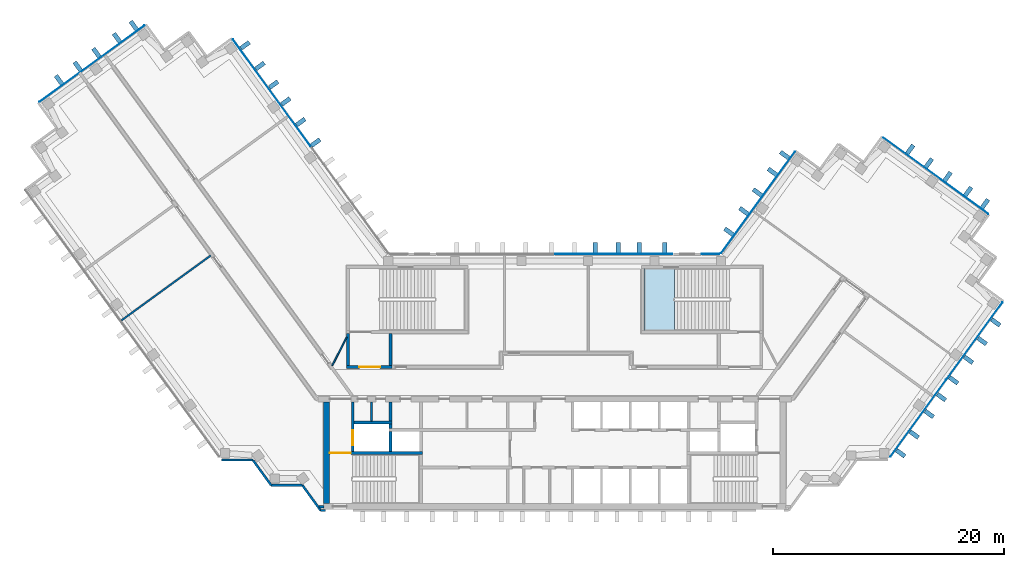
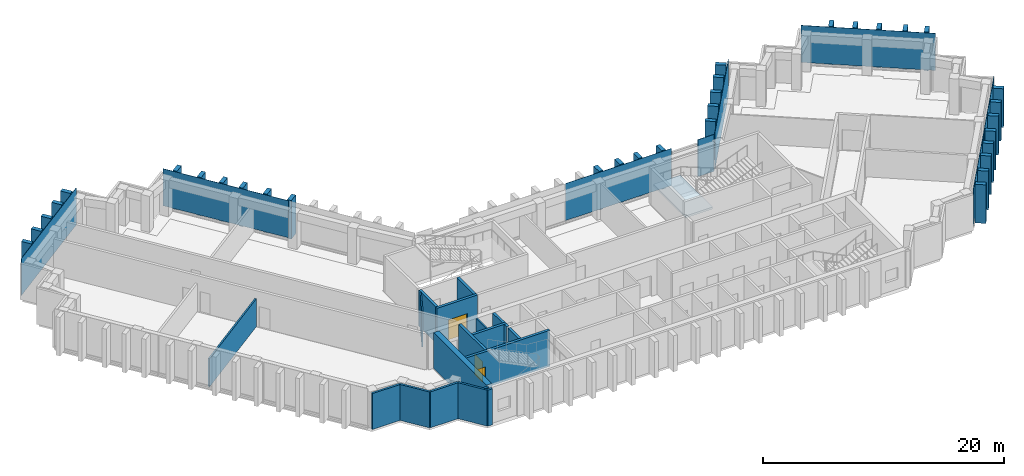
"""IFC4 building model written with IfcOpenShell, lengths in metres."""

from ifc_helpers import new_model, si_unit, direction, frame, frame_2d, origin, origin_2d, place, context, subcontext, project, spatial, polyline, rectangle, outline, extrude, material, layer, layer_set, type_object, element, fill, aggregate, save


model = new_model("IFC4")

# Units and contexts
model_context = context("Model", 3, precision=1e-05, world=origin(), true_north=direction((0.0, 1.0)))
body_context = subcontext(model_context, "Body", "Model", "MODEL_VIEW")
ifc_project = project(units=[si_unit("LENGTHUNIT", "METRE"), si_unit("AREAUNIT", "SQUARE_METRE"), si_unit("VOLUMEUNIT", "CUBIC_METRE"), si_unit("PLANEANGLEUNIT", "RADIAN"), si_unit("MASSUNIT", "GRAM", prefix="KILO")], contexts=[model_context])

# Site, building, storey
site_placement = place(None, origin())
site = spatial("IfcSite", under=ifc_project, at=site_placement, CompositionType="ELEMENT")
building_placement = place(site_placement, origin())
building = spatial("IfcBuilding", under=site, at=building_placement, Name="Quipu Civic Tower", CompositionType="ELEMENT")
storey_1_placement = place(building_placement, frame((0.0, 0.0, 226.0)))
storey_1 = spatial("IfcBuildingStorey", under=building, at=storey_1_placement, Name="L53", CompositionType="ELEMENT", Elevation=226.0)

# Curtain wall
ifc_material_1 = material(Name="Insulated glass unit", Category="glass")
curtain_wall_type = type_object("IfcCurtainWallType", Name="Office curtain wall CW1", PredefinedType="NOTDEFINED", material=ifc_material_1)
curtain_wall_1_placement = place(storey_1_placement, origin())
curtain_wall_1 = element("IfcCurtainWall", 1, at=curtain_wall_1_placement, inside=storey_1, type_object=curtain_wall_type, Name="Office curtain wall CW1 L52 run 4", PredefinedType="NOTDEFINED")

# Storey
storey_2_placement = place(building_placement, frame((0.0, 0.0, 230.0)))
storey_2 = spatial("IfcBuildingStorey", under=building, at=storey_2_placement, Name="L54", CompositionType="ELEMENT", Elevation=230.0)

# Plate
ifc_material_2 = material(Name="Insulated glass unit", Category="glass")
ifc_layer_1 = layer(ifc_material_2, 0.028076171875)
ifc_layer_set_1 = layer_set([ifc_layer_1], Name="Insulated glass unit")
plate_type_1 = type_object("IfcPlateType", Name="Glass panel CW1", PredefinedType="CURTAIN_PANEL", material=ifc_layer_set_1)
plate_1_placement = place(storey_2_placement, frame((31.465087890625, -3.10400390625, 0.16015625), z_axis=(0.0, 0.0, 1.0), x_axis=(0.58778680192, 0.809015868502, 0.0)))
plate_1 = element("IfcPlate", 2, at=plate_1_placement, inside=storey_2, type_object=plate_type_1, Name="CW1 panel 1.3", PredefinedType="CURTAIN_PANEL", context=body_context, shape_type="SweptSolid", body=[
    extrude(rectangle(XDim=8.2080078125, YDim=0.028076171875, at=origin_2d()), origin(), (0.0, 0.0, 1.0), 3.760009765625),
])

plate_2_placement = place(storey_2_placement, frame((36.3369140625, 3.60107421875, 0.16015625), z_axis=(0.0, 0.0, 1.0), x_axis=(0.58778680192, 0.809015868502, 0.0)))
plate_2 = element("IfcPlate", 3, at=plate_2_placement, inside=storey_2, type_object=plate_type_1, Name="CW1 panel 2.3", PredefinedType="CURTAIN_PANEL", context=body_context, shape_type="SweptSolid", body=[
    extrude(rectangle(XDim=8.2080078125, YDim=0.028076171875, at=origin_2d()), origin(), (0.0, 0.0, 1.0), 3.760009765625),
])

aggregate(curtain_wall_1, [plate_1, plate_2])

# Storey
storey_3_placement = place(building_placement, frame((0.0, 0.0, 234.0)))
storey_3 = spatial("IfcBuildingStorey", under=building, at=storey_3_placement, Name="L55", CompositionType="ELEMENT", Elevation=234.0)

# Curtain wall, plate
curtain_wall_2_placement = place(storey_3_placement, origin())
curtain_wall_2 = element("IfcCurtainWall", 4, at=curtain_wall_2_placement, inside=storey_3, type_object=curtain_wall_type, Name="Office curtain wall CW1 L54 run 1", PredefinedType="NOTDEFINED")
plate_3_placement = place(storey_2_placement, frame((-24.491455078125, 25.066162109375, 0.240234375), z_axis=(0.0, 0.0, 1.0), x_axis=(-0.587788727052, 0.809014469803, 0.0)))
plate_3 = element("IfcPlate", 5, at=plate_3_placement, inside=storey_2, type_object=plate_type_1, Name="CW1 panel 2.1", PredefinedType="CURTAIN_PANEL", context=body_context, shape_type="SweptSolid", body=[
    extrude(rectangle(XDim=11.402099609375, YDim=0.028076171875, at=origin_2d()), origin(), (0.0, 0.0, 1.0), 3.760009765625),
])
aggregate(curtain_wall_2, [plate_3])

curtain_wall_3_placement = place(storey_3_placement, origin())
curtain_wall_3 = element("IfcCurtainWall", 6, at=curtain_wall_3_placement, inside=storey_3, type_object=curtain_wall_type, Name="Office curtain wall CW1 L54 run 6", PredefinedType="NOTDEFINED")
plate_4_placement = place(storey_2_placement, frame((-40.04345703125, 27.58740234375, 0.240234375), z_axis=(0.0, 0.0, 1.0), x_axis=(-0.809015176832, -0.587787753918, 0.0)))
plate_4 = element("IfcPlate", 7, at=plate_4_placement, inside=storey_2, type_object=plate_type_1, Name="CW1 panel 1.1", PredefinedType="CURTAIN_PANEL", context=body_context, shape_type="SweptSolid", body=[
    extrude(rectangle(XDim=11.239990234375, YDim=0.028076171875, at=origin_2d()), origin(), (0.0, 0.0, 1.0), 3.760009765625),
])
aggregate(curtain_wall_3, [plate_4])

curtain_wall_4_placement = place(storey_3_placement, origin())
curtain_wall_4 = element("IfcCurtainWall", 8, at=curtain_wall_4_placement, inside=storey_3, type_object=curtain_wall_type, Name="Office curtain wall CW1 L54 run 21", PredefinedType="NOTDEFINED")
plate_5_placement = place(storey_2_placement, frame((32.989990234375, 17.87939453125, 0.240234375), z_axis=(0.0, 0.0, 1.0), x_axis=(-0.809015176832, 0.587787753918, 0.0)))
plate_5 = element("IfcPlate", 9, at=plate_5_placement, inside=storey_2, type_object=plate_type_1, Name="CW1 panel 1.1", PredefinedType="CURTAIN_PANEL", context=body_context, shape_type="SweptSolid", body=[
    extrude(rectangle(XDim=11.239990234375, YDim=0.028076171875, at=origin_2d()), origin(), (0.0, 0.0, 1.0), 3.760009765625),
])
aggregate(curtain_wall_4, [plate_5])

curtain_wall_5_placement = place(storey_3_placement, origin())
curtain_wall_5 = element("IfcCurtainWall", 10, at=curtain_wall_5_placement, inside=storey_3, type_object=curtain_wall_type, Name="Office curtain wall CW1 L54 run 26", PredefinedType="NOTDEFINED")
plate_6_placement = place(storey_2_placement, frame((17.590087890625, 15.5673828125, 0.240234375), z_axis=(0.0, 0.0, 1.0), x_axis=(-0.587787771652, -0.809015163947, 0.0)))
plate_6 = element("IfcPlate", 11, at=plate_6_placement, inside=storey_2, type_object=plate_type_1, Name="CW1 panel 1.1", PredefinedType="CURTAIN_PANEL", context=body_context, shape_type="SweptSolid", body=[
    extrude(rectangle(XDim=10.88427734375, YDim=0.028076171875, at=origin_2d()), origin(), (0.0, 0.0, 1.0), 3.760009765625),
])
aggregate(curtain_wall_5, [plate_6])

curtain_wall_6_placement = place(storey_3_placement, origin())
curtain_wall_6 = element("IfcCurtainWall", 12, at=curtain_wall_6_placement, inside=storey_3, type_object=curtain_wall_type, Name="Office curtain wall CW1 L54 run 27", PredefinedType="NOTDEFINED")
plate_7_placement = place(storey_2_placement, frame((13.49951171875, 11.10009765625, 0.240234375), z_axis=(0.0, 0.0, 1.0), x_axis=(-1.0, 0.0, 0.0)))
plate_7 = element("IfcPlate", 13, at=plate_7_placement, inside=storey_2, type_object=plate_type_1, Name="CW1 panel 1.1", PredefinedType="CURTAIN_PANEL", context=body_context, shape_type="SweptSolid", body=[
    extrude(rectangle(XDim=1.529296875, YDim=0.028076171875, at=origin_2d()), origin(), (0.0, 0.0, 1.0), 3.760009765625),
])
aggregate(curtain_wall_6, [plate_7])

curtain_wall_7_placement = place(storey_3_placement, origin())
curtain_wall_7 = element("IfcCurtainWall", 14, at=curtain_wall_7_placement, inside=storey_3, type_object=curtain_wall_type, Name="Office curtain wall CW1 L54 run 29", PredefinedType="NOTDEFINED")
plate_8_placement = place(storey_2_placement, frame((5.11181640625, 11.10009765625, 0.240234375), z_axis=(0.0, 0.0, 1.0), x_axis=(-1.0, 0.0, 0.0)))
plate_8 = element("IfcPlate", 15, at=plate_8_placement, inside=storey_2, type_object=plate_type_1, Name="CW1 panel 1.1", PredefinedType="CURTAIN_PANEL", context=body_context, shape_type="SweptSolid", body=[
    extrude(rectangle(XDim=10.1435546875, YDim=0.028076171875, at=origin_2d()), origin(), (0.0, 0.0, 1.0), 3.760009765625),
])
aggregate(curtain_wall_7, [plate_8])

# Plates
ifc_material_3 = material(Name="Precast concrete C40/50", Category="concrete")
plate_type_2 = type_object("IfcPlateType", Name="Precast fin F2", PredefinedType="SHEET", material=ifc_material_3)
for number, where, z_axis, x_axis, name in (
    (16, (29.943603515625, -6.134033203125, 0.080078125), (0.0, 0.0, 1.0), (0.587786668783, 0.809015965233, 0.0), "Precast fin F2 L54.P04.1"),
    (17, (31.119140625, -4.515869140625, 0.080078125), (0.0, 0.0, 1.0), (0.587786668783, 0.809015965233, 0.0), "Precast fin F2 L54.P04.2"),
    (18, (32.412353515625, -2.736083984375, 0.080078125), (0.0, 0.0, 1.0), (0.587786668783, 0.809015965233, 0.0), "Precast fin F2 L54.P04.3"),
    (19, (33.47021484375, -1.280029296875, 0.080078125), (0.0, 0.0, 1.0), (0.587786668783, 0.809015965233, 0.0), "Precast fin F2 L54.P04.4"),
    (20, (34.5283203125, 0.17626953125, 0.080078125), (0.0, 0.0, 1.0), (0.587786668783, 0.809015965233, 0.0), "Precast fin F2 L54.P04.5"),
    (21, (35.821533203125, 1.9560546875, 0.080078125), (0.0, 0.0, 1.0), (0.587786668783, 0.809015965233, 0.0), "Precast fin F2 L54.P04.6"),
    (22, (36.9970703125, 3.57421875, 0.080078125), (0.0, 0.0, 1.0), (0.587786668783, 0.809015965233, 0.0), "Precast fin F2 L54.P04.7"),
    (23, (38.172607421875, 5.192138671875, 0.080078125), (0.0, 0.0, 1.0), (0.587786668783, 0.809015965233, 0.0), "Precast fin F2 L54.P04.8"),
    (24, (-20.681884765625, 20.758544921875, 0.080078125), (0.0, 0.0, 1.0), (-0.587787133119, 0.809015627871, 0.0), "Precast fin F2 L54.1.6"),
    (25, (-21.974853515625, 22.538330078125, 0.080078125), (0.0, 0.0, 1.0), (-0.587787133119, 0.809015627871, 0.0), "Precast fin F2 L54.1.7"),
    (26, (-23.26806640625, 24.318115234375, 0.080078125), (0.0, 0.0, 1.0), (-0.587787133119, 0.809015627871, 0.0), "Precast fin F2 L54.1.8"),
    (27, (-24.326171875, 25.7744140625, 0.080078125), (0.0, 0.0, 1.0), (-0.587787133119, 0.809015627871, 0.0), "Precast fin F2 L54.1.9"),
    (28, (-25.501708984375, 27.392578125, 0.080078125), (0.0, 0.0, 1.0), (-0.587787133119, 0.809015627871, 0.0), "Precast fin F2 L54.1.10"),
    (29, (-26.794677734375, 29.17236328125, 0.080078125), (0.0, 0.0, 1.0), (-0.587787133119, 0.809015627871, 0.0), "Precast fin F2 L54.1.11"),
    (30, (-36.434814453125, 30.88916015625, 0.080078125), (0.0, 0.0, 1.0), (-0.809017072762, -0.587785144401, 0.0), "Precast fin F2 L54.6.1"),
    (31, (-37.89111328125, 29.8310546875, 0.080078125), (0.0, 0.0, 1.0), (-0.809017072762, -0.587785144401, 0.0), "Precast fin F2 L54.6.2"),
    (32, (-39.6708984375, 28.537841796875, 0.080078125), (0.0, 0.0, 1.0), (-0.809017072762, -0.587785144401, 0.0), "Precast fin F2 L54.6.3"),
    (33, (-41.2890625, 27.3623046875, 0.080078125), (0.0, 0.0, 1.0), (-0.809017072762, -0.587785144401, 0.0), "Precast fin F2 L54.6.4"),
    (34, (-42.906982421875, 26.186767578125, 0.080078125), (0.0, 0.0, 1.0), (-0.809017072762, -0.587785144401, 0.0), "Precast fin F2 L54.6.5"),
    (35, (37.2451171875, 15.467529296875, 0.080078125), (0.0, 0.0, 1.0), (-0.809017072762, 0.587785144401, 0.0), "Precast fin F2 L54.21.1"),
    (36, (35.7890625, 16.525634765625, 0.080078125), (0.0, 0.0, 1.0), (-0.809017072762, 0.587785144401, 0.0), "Precast fin F2 L54.21.2"),
    (37, (34.009033203125, 17.81884765625, 0.080078125), (0.0, 0.0, 1.0), (-0.809017072762, 0.587785144401, 0.0), "Precast fin F2 L54.21.3"),
    (38, (32.39111328125, 18.994384765625, 0.080078125), (0.0, 0.0, 1.0), (-0.809017072762, 0.587785144401, 0.0), "Precast fin F2 L54.21.4"),
    (39, (30.77294921875, 20.169921875, 0.080078125), (0.0, 0.0, 1.0), (-0.809017072762, 0.587785144401, 0.0), "Precast fin F2 L54.21.5"),
    (40, (19.897216796875, 19.6787109375, 0.080078125), (0.0, 0.0, 1.0), (-0.58778443384, -0.809017589015, 0.0), "Precast fin F2 L54.26.1"),
    (41, (18.839111328125, 18.222412109375, 0.080078125), (0.0, 0.0, 1.0), (-0.58778443384, -0.809017589015, 0.0), "Precast fin F2 L54.26.2"),
    (42, (17.546142578125, 16.442626953125, 0.080078125), (0.0, 0.0, 1.0), (-0.58778443384, -0.809017589015, 0.0), "Precast fin F2 L54.26.3"),
    (43, (16.370361328125, 14.824462890625, 0.080078125), (0.0, 0.0, 1.0), (-0.58778443384, -0.809017589015, 0.0), "Precast fin F2 L54.26.4"),
    (44, (15.077392578125, 13.044677734375, 0.080078125), (0.0, 0.0, 1.0), (-0.58778443384, -0.809017589015, 0.0), "Precast fin F2 L54.26.5"),
    (45, (9.510009765625, 11.64990234375, 0.080078125), (0.0, 0.0, 1.0), (-1.0, 0.0, 0.0), "Precast fin F2 L54.29.1"),
    (46, (7.31005859375, 11.64990234375, 0.080078125), (0.0, 0.0, 1.0), (-1.0, 0.0, 0.0), "Precast fin F2 L54.29.2"),
    (47, (5.510009765625, 11.64990234375, 0.080078125), (0.0, 0.0, 1.0), (-1.0, 0.0, 0.0), "Precast fin F2 L54.29.3"),
    (48, (3.510009765625, 11.64990234375, 0.080078125), (0.0, 0.0, 1.0), (-1.0, 0.0, 0.0), "Precast fin F2 L54.29.4"),
):
    element("IfcPlate", number, at=place(storey_2_placement, frame(where, z_axis=z_axis, x_axis=x_axis)), inside=storey_2, type_object=plate_type_2, Name=name, PredefinedType="SHEET", context=body_context, shape_type="SweptSolid", body=[
        extrude(rectangle(XDim=0.3798828125, YDim=0.89990234375, at=origin_2d()), origin(), (0.0, 0.0, 1.0), 3.919921875),
    ])

# Stair, slab
ifc_material_4 = material(Name="Concrete C40/50", Category="concrete")
stair_type = type_object("IfcStairType", Name="Half turn stair 2600", PredefinedType="HALF_TURN_STAIR", material=ifc_material_4)
stair_placement = place(storey_2_placement, origin())
stair = element("IfcStair", 49, at=stair_placement, inside=storey_2, type_object=stair_type, Name="Exit stair 4", PredefinedType="HALF_TURN_STAIR")
ifc_material_5 = material(Name="Concrete C40/50", Category="concrete")
ifc_layer_2 = layer(ifc_material_5, 0.199951171875)
ifc_layer_set_2 = layer_set([ifc_layer_2], Name="Concrete C40/50")
slab_type = type_object("IfcSlabType", Name="Stair landing 200", PredefinedType="LANDING", material=ifc_layer_set_2)
slab_placement = place(storey_2_placement, frame((0.0, 0.0, 1.800048828125)))
slab = element("IfcSlab", 50, at=slab_placement, type_object=slab_type, Name="ST-4 landing 1", PredefinedType="LANDING", context=body_context, shape_type="SweptSolid", body=[
    extrude(outline(polyline([(10.35009765625, 9.85009765625), (7.75, 9.85009765625), (7.75, 4.5), (10.35009765625, 4.5), (10.35009765625, 9.85009765625)])), origin(), (0.0, 0.0, 1.0), 0.199951171875),
])
aggregate(stair, [slab])

# Wall
ifc_material_6 = material(Name="Double gypsum plasterboard with mineral wool")
ifc_layer_3 = layer(ifc_material_6, 0.14990234375)
ifc_layer_set_3 = layer_set([ifc_layer_3], Name="Double gypsum plasterboard with mineral wool")
wall_type_1 = type_object("IfcWallType", Name="Acoustic partition 150 plasterboard", PredefinedType="PARTITIONING", material=ifc_layer_set_3)
wall_1_placement = place(storey_2_placement, frame((-29.769287109375, 10.979736328125, 0.0), z_axis=(0.0, 0.0, 1.0), x_axis=(-0.809048817734, -0.587741448702, 0.0)))
element("IfcWall", 51, at=wall_1_placement, inside=storey_2, type_object=wall_type_1, Name="Partition P02", PredefinedType="PARTITIONING", context=body_context, shape_type="SweptSolid", body=[
    extrude(rectangle(XDim=9.55029296875, YDim=0.14990234375, at=frame_2d((4.775146484375, 0.0))), origin(), (0.0, 0.0, 1.0), 2.85009765625),
])

# Wall, opening, door
ifc_material_7 = material(Name="Concrete C70/85", Category="concrete")
ifc_layer_4 = layer(ifc_material_7, 0.25)
ifc_layer_set_4 = layer_set([ifc_layer_4], Name="Concrete C70/85")
wall_type_2 = type_object("IfcWallType", Name="Core wall 250", PredefinedType="SHEAR", material=ifc_layer_set_4)
wall_2_placement = place(storey_2_placement, frame((-11.449951171875, -6.125, 0.0), z_axis=(0.0, 0.0, 1.0), x_axis=(-1.0, 0.0, 0.0)))
wall_2 = element("IfcWall", 52, at=wall_2_placement, inside=storey_2, type_object=wall_type_2, Name="Core wall", PredefinedType="SHEAR", context=body_context, shape_type="SweptSolid", body=[
    extrude(rectangle(XDim=8.050048828125, YDim=0.25, at=frame_2d((4.02490234375, 0.0))), origin(), (0.0, 0.0, 1.0), 3.64990234375),
])
opening_1_placement = place(wall_2_placement, frame((6.199951171875, 0.0, 0.0)))
opening_1 = element("IfcOpeningElement", 53, at=opening_1_placement, cuts=wall_2, Name="Opening CD-05", PredefinedType="OPENING", context=body_context, shape_type="SweptSolid", body=[
    extrude(rectangle(XDim=1.800048828125, YDim=2.10009765625, at=frame_2d((0.89990234375, 1.050048828125))), frame((0.0, 0.135009765625, 0.0), z_axis=(0.0, -1.0, 0.0), x_axis=(1.0, 0.0, 0.0)), (0.0, 0.0, 1.0), 0.27001953125),
])
ifc_material_8 = material(Name="Fire rated steel door", Category="steel")
door_type_1 = type_object("IfcDoorType", Name="Fire door FD90 double 1800 x 2100", OperationType="NOTDEFINED", PredefinedType="DOOR", material=ifc_material_8)
door_1_placement = place(opening_1_placement, origin())
door_1 = element("IfcDoor", 54, at=door_1_placement, inside=storey_2, type_object=door_type_1, Name="Door", OperationType="DOUBLE_DOOR_SINGLE_SWING", OverallHeight=2.10009765625, OverallWidth=1.800048828125, PredefinedType="DOOR", context=body_context, shape_type="SweptSolid", body=[
    extrude(rectangle(XDim=1.800048828125, YDim=2.10009765625, at=frame_2d((0.89990234375, 1.050048828125))), frame((0.0, 0.02490234375, 0.0), z_axis=(0.0, -1.0, 0.0), x_axis=(1.0, 0.0, 0.0)), (0.0, 0.0, 1.0), 0.050048828125),
])
fill(opening_1, door_1)

wall_3_placement = place(storey_2_placement, frame((-17.47509765625, -6.0, 0.0), z_axis=(0.0, 0.0, 1.0), x_axis=(0.0, 1.0, 0.0)))
wall_3 = element("IfcWall", 55, at=wall_3_placement, inside=storey_2, type_object=wall_type_2, Name="Core wall", PredefinedType="SHEAR", context=body_context, shape_type="SweptSolid", body=[
    extrude(rectangle(XDim=4.300048828125, YDim=0.25, at=frame_2d((2.14990234375, 0.0))), origin(), (0.0, 0.0, 1.0), 3.64990234375),
])
opening_2_placement = place(wall_3_placement, frame((0.550048828125, 0.0, 0.0)))
opening_2 = element("IfcOpeningElement", 56, at=opening_2_placement, cuts=wall_3, Name="Opening LD-FF1", PredefinedType="OPENING", context=body_context, shape_type="SweptSolid", body=[
    extrude(rectangle(XDim=1.300048828125, YDim=2.10009765625, at=frame_2d((0.64990234375, 1.050048828125))), frame((0.0, 0.135009765625, 0.0), z_axis=(0.0, -1.0, 0.0), x_axis=(1.0, 0.0, 0.0)), (0.0, 0.0, 1.0), 0.27001953125),
])
ifc_material_9 = material(Name="Stainless steel", Category="steel")
door_type_2 = type_object("IfcDoorType", Name="Lift landing door 1300 x 2100", OperationType="DOUBLE_DOOR_SLIDING", PredefinedType="DOOR", material=ifc_material_9)
door_2_placement = place(opening_2_placement, origin())
door_2 = element("IfcDoor", 57, at=door_2_placement, inside=storey_2, type_object=door_type_2, Name="Landing door FF1", OperationType="DOUBLE_DOOR_SLIDING", OverallHeight=2.10009765625, OverallWidth=1.300048828125, PredefinedType="DOOR", context=body_context, shape_type="SweptSolid", body=[
    extrude(rectangle(XDim=1.300048828125, YDim=2.10009765625, at=frame_2d((0.64990234375, 1.050048828125))), frame((0.0, 0.02490234375, 0.0), z_axis=(0.0, -1.0, 0.0), x_axis=(1.0, 0.0, 0.0)), (0.0, 0.0, 1.0), 0.050048828125),
])
fill(opening_2, door_2)

# Walls
wall_4_placement = place(storey_2_placement, frame((-14.22509765625, -6.0, 0.0), z_axis=(0.0, 0.0, 1.0), x_axis=(0.0, 1.0, 0.0)))
element("IfcWall", 58, at=wall_4_placement, inside=storey_2, type_object=wall_type_2, Name="Core wall", PredefinedType="SHEAR", context=body_context, shape_type="SweptSolid", body=[
    extrude(rectangle(XDim=1.75, YDim=0.25, at=frame_2d((0.875, 0.0))), origin(), (0.0, 0.0, 1.0), 3.64990234375),
])
wall_5_placement = place(storey_2_placement, frame((-14.22509765625, -4.0, 0.0), z_axis=(0.0, 0.0, 1.0), x_axis=(0.0, 1.0, 0.0)))
element("IfcWall", 59, at=wall_5_placement, inside=storey_2, type_object=wall_type_2, Name="Core wall", PredefinedType="SHEAR", context=body_context, shape_type="SweptSolid", body=[
    extrude(rectangle(XDim=0.39990234375, YDim=0.25, at=frame_2d((0.199951171875, 0.0))), origin(), (0.0, 0.0, 1.0), 3.64990234375),
])
wall_6_placement = place(storey_2_placement, frame((-17.35009765625, -3.47509765625, 0.0), z_axis=(0.0, 0.0, 1.0), x_axis=(1.0, 0.0, 0.0)))
element("IfcWall", 60, at=wall_6_placement, inside=storey_2, type_object=wall_type_2, Name="Core wall", PredefinedType="SHEAR", context=body_context, shape_type="SweptSolid", body=[
    extrude(rectangle(XDim=3.25, YDim=0.25, at=frame_2d((1.625, 0.0))), origin(), (0.0, 0.0, 1.0), 3.64990234375),
])
wall_7_placement = place(storey_2_placement, frame((-14.22509765625, -3.35009765625, 0.0), z_axis=(0.0, 0.0, 1.0), x_axis=(0.0, 1.0, 0.0)))
element("IfcWall", 61, at=wall_7_placement, inside=storey_2, type_object=wall_type_2, Name="Core wall", PredefinedType="SHEAR", context=body_context, shape_type="SweptSolid", body=[
    extrude(rectangle(XDim=1.650146484375, YDim=0.25, at=frame_2d((0.8251953125, 0.0))), origin(), (0.0, 0.0, 1.0), 3.64990234375),
])

# Wall, opening, door
wall_8_placement = place(storey_2_placement, frame((-18.0, 1.324951171875, 0.0), z_axis=(0.0, 0.0, 1.0), x_axis=(1.0, 0.0, 0.0)))
wall_8 = element("IfcWall", 62, at=wall_8_placement, inside=storey_2, type_object=wall_type_2, Name="Core wall", PredefinedType="SHEAR", context=body_context, shape_type="SweptSolid", body=[
    extrude(rectangle(XDim=3.89990234375, YDim=0.25, at=frame_2d((1.949951171875, 0.0))), origin(), (0.0, 0.0, 1.0), 3.64990234375),
])
opening_3_placement = place(wall_8_placement, frame((1.10009765625, 0.0, 0.0)))
opening_3 = element("IfcOpeningElement", 63, at=opening_3_placement, cuts=wall_8, Name="Opening CD-19", PredefinedType="OPENING", context=body_context, shape_type="SweptSolid", body=[
    extrude(rectangle(XDim=1.800048828125, YDim=2.10009765625, at=frame_2d((0.89990234375, 1.050048828125))), frame((0.0, 0.135009765625, 0.0), z_axis=(0.0, -1.0, 0.0), x_axis=(1.0, 0.0, 0.0)), (0.0, 0.0, 1.0), 0.27001953125),
])
door_3_placement = place(opening_3_placement, origin())
door_3 = element("IfcDoor", 64, at=door_3_placement, inside=storey_2, type_object=door_type_1, Name="Lobby door", OperationType="DOUBLE_DOOR_SINGLE_SWING", OverallHeight=2.10009765625, OverallWidth=1.800048828125, PredefinedType="DOOR", context=body_context, shape_type="SweptSolid", body=[
    extrude(rectangle(XDim=1.800048828125, YDim=2.10009765625, at=frame_2d((0.89990234375, 1.050048828125))), frame((0.0, 0.02490234375, 0.0), z_axis=(0.0, -1.0, 0.0), x_axis=(1.0, 0.0, 0.0)), (0.0, 0.0, 1.0), 0.050048828125),
])
fill(opening_3, door_3)

# Walls
for number, where, z_axis, x_axis, name in (
    (65, (-17.875, 1.449951171875, 0.0), (0.0, 0.0, 1.0), (0.0, 1.0, 0.0), "Core wall"),
    (66, (-14.22509765625, 1.449951171875, 0.0), (0.0, 0.0, 1.0), (0.0, 1.0, 0.0), "Core wall"),
):
    element("IfcWall", number, at=place(storey_2_placement, frame(where, z_axis=z_axis, x_axis=x_axis)), inside=storey_2, type_object=wall_type_2, Name=name, PredefinedType="SHEAR", context=body_context, shape_type="SweptSolid", body=[
        extrude(rectangle(XDim=2.800048828125, YDim=0.25, at=frame_2d((1.39990234375, 0.0))), origin(), (0.0, 0.0, 1.0), 3.64990234375),
    ])
ifc_material_10 = material(Name="Concrete C70/85", Category="concrete")
ifc_layer_5 = layer(ifc_material_10, 0.5)
ifc_layer_set_5 = layer_set([ifc_layer_5], Name="Concrete C70/85")
wall_type_3 = type_object("IfcWallType", Name="Core wall 500", PredefinedType="SHEAR", material=ifc_layer_set_5)
wall_9_placement = place(storey_2_placement, frame((-19.75, -10.5, 0.0), z_axis=(0.0, 0.0, 1.0), x_axis=(0.0, 1.0, 0.0)))
element("IfcWall", 67, at=wall_9_placement, inside=storey_2, type_object=wall_type_3, Name="Core wall", PredefinedType="SHEAR", context=body_context, shape_type="SweptSolid", body=[
    extrude(rectangle(XDim=8.800048828125, YDim=0.5, at=frame_2d((4.39990234375, 0.0))), origin(), (0.0, 0.0, 1.0), 3.64990234375),
])
ifc_material_11 = material(Name="Gypsum plasterboard on light gauge framing")
ifc_layer_6 = layer(ifc_material_11, 0.1201171875)
ifc_layer_set_6 = layer_set([ifc_layer_6], Name="Gypsum plasterboard on light gauge framing")
wall_type_4 = type_object("IfcWallType", Name="Partition 120 plasterboard", PredefinedType="PARTITIONING", material=ifc_layer_set_6)
wall_10_placement = place(storey_2_placement, frame((-19.260986328125, 1.449951171875, 0.0), z_axis=(0.0, 0.0, 1.0), x_axis=(0.453950796792, 0.891026752736, 0.0)))
element("IfcWall", 68, at=wall_10_placement, inside=storey_2, type_object=wall_type_4, Name="Partition P10", PredefinedType="PARTITIONING", context=body_context, shape_type="SweptSolid", body=[
    extrude(rectangle(XDim=2.77783203125, YDim=0.1201171875, at=frame_2d((1.388916015625, 0.0))), origin(), (0.0, 0.0, 1.0), 3.64990234375),
])
ifc_material_12 = material(Name="Gypsum board partition")
ifc_layer_7 = layer(ifc_material_12, 0.14990234375)
ifc_layer_set_7 = layer_set([ifc_layer_7], Name="Gypsum board partition")
wall_type_5 = type_object("IfcWallType", Name="Partition 150", PredefinedType="PARTITIONING", material=ifc_layer_set_7)
wall_11_placement = place(storey_2_placement, frame((-15.85009765625, -3.35009765625, 0.0), z_axis=(0.0, 0.0, 1.0), x_axis=(0.0, 1.0, 0.0)))
element("IfcWall", 69, at=wall_11_placement, inside=storey_2, type_object=wall_type_5, Name="Partition", PredefinedType="PARTITIONING", context=body_context, shape_type="SweptSolid", body=[
    extrude(rectangle(XDim=1.650146484375, YDim=0.14990234375, at=frame_2d((0.8251953125, 0.0))), origin(), (0.0, 0.0, 1.0), 3.64990234375),
])
ifc_material_13 = material(Name="Precast concrete C40/50", Category="concrete")
wall_type_6 = type_object("IfcWallType", Name="Precast cladding wall", PredefinedType="SOLIDWALL", material=ifc_material_13)
wall_12_placement = place(storey_2_placement, frame((-28.829833984375, -6.71923828125, 0.0), z_axis=(0.0, 0.0, 1.0), x_axis=(1.0, 0.0, 0.0)))
element("IfcWall", 70, at=wall_12_placement, inside=storey_2, type_object=wall_type_6, Name="Precast cladding wall L54 12", PredefinedType="SOLIDWALL", context=body_context, shape_type="SweptSolid", body=[
    extrude(rectangle(XDim=2.699951171875, YDim=0.199951171875, at=frame_2d((1.35009765625, 0.0))), origin(), (0.0, 0.0, 1.0), 3.64990234375),
])
wall_13_placement = place(storey_2_placement, frame((-26.1201171875, -6.72412109375, 0.0), z_axis=(0.0, 0.0, 1.0), x_axis=(0.587720002413, -0.809064397168, 0.0)))
element("IfcWall", 71, at=wall_13_placement, inside=storey_2, type_object=wall_type_6, Name="Precast cladding wall L54 13", PredefinedType="SOLIDWALL", context=body_context, shape_type="SweptSolid", body=[
    extrude(rectangle(XDim=2.7001953125, YDim=0.199951171875, at=frame_2d((1.35009765625, 0.0))), origin(), (0.0, 0.0, 1.0), 3.64990234375),
])
wall_14_placement = place(storey_2_placement, frame((-24.542724609375, -8.90380859375, 0.0), z_axis=(0.0, 0.0, 1.0), x_axis=(1.0, 0.0, 0.0)))
element("IfcWall", 72, at=wall_14_placement, inside=storey_2, type_object=wall_type_6, Name="Precast cladding wall L54 14", PredefinedType="SOLIDWALL", context=body_context, shape_type="SweptSolid", body=[
    extrude(rectangle(XDim=2.699951171875, YDim=0.199951171875, at=frame_2d((1.35009765625, 0.0))), origin(), (0.0, 0.0, 1.0), 3.64990234375),
])
wall_15_placement = place(storey_2_placement, frame((-21.8330078125, -8.90869140625, 0.0), z_axis=(0.0, 0.0, 1.0), x_axis=(0.587766567315, -0.809030569476, 0.0)))
element("IfcWall", 73, at=wall_15_placement, inside=storey_2, type_object=wall_type_6, Name="Precast cladding wall L54 15", PredefinedType="SOLIDWALL", context=body_context, shape_type="SweptSolid", body=[
    extrude(rectangle(XDim=2.687744140625, YDim=0.199951171875, at=frame_2d((1.34375, 0.0))), origin(), (0.0, 0.0, 1.0), 3.64990234375),
])
wall_16_placement = place(storey_2_placement, frame((-20.255859375, -11.087890625, 0.0), z_axis=(0.0, 0.0, 1.0), x_axis=(1.0, 0.0, 0.0)))
element("IfcWall", 74, at=wall_16_placement, inside=storey_2, type_object=wall_type_6, Name="Precast cladding wall L54 16", PredefinedType="SOLIDWALL", context=body_context, shape_type="SweptSolid", body=[
    extrude(rectangle(XDim=0.40576171875, YDim=0.199951171875, at=frame_2d((0.202880859375, 0.0))), origin(), (0.0, 0.0, 1.0), 3.64990234375),
])
wall_17_placement = place(storey_2_placement, frame((-19.97998046875, -10.75, 0.0), z_axis=(0.0, 0.0, 1.0), x_axis=(-1.0, 0.0, 0.0)))
element("IfcWall", 75, at=wall_17_placement, inside=storey_2, type_object=wall_type_6, Name="Precast cladding return L54 W", PredefinedType="SOLIDWALL", context=body_context, shape_type="SweptSolid", body=[
    extrude(rectangle(XDim=0.41650390625, YDim=0.199951171875, at=frame_2d((0.208251953125, 0.0))), origin(), (0.0, 0.0, 1.0), 3.64990234375),
])

save(model, "model.ifc")
